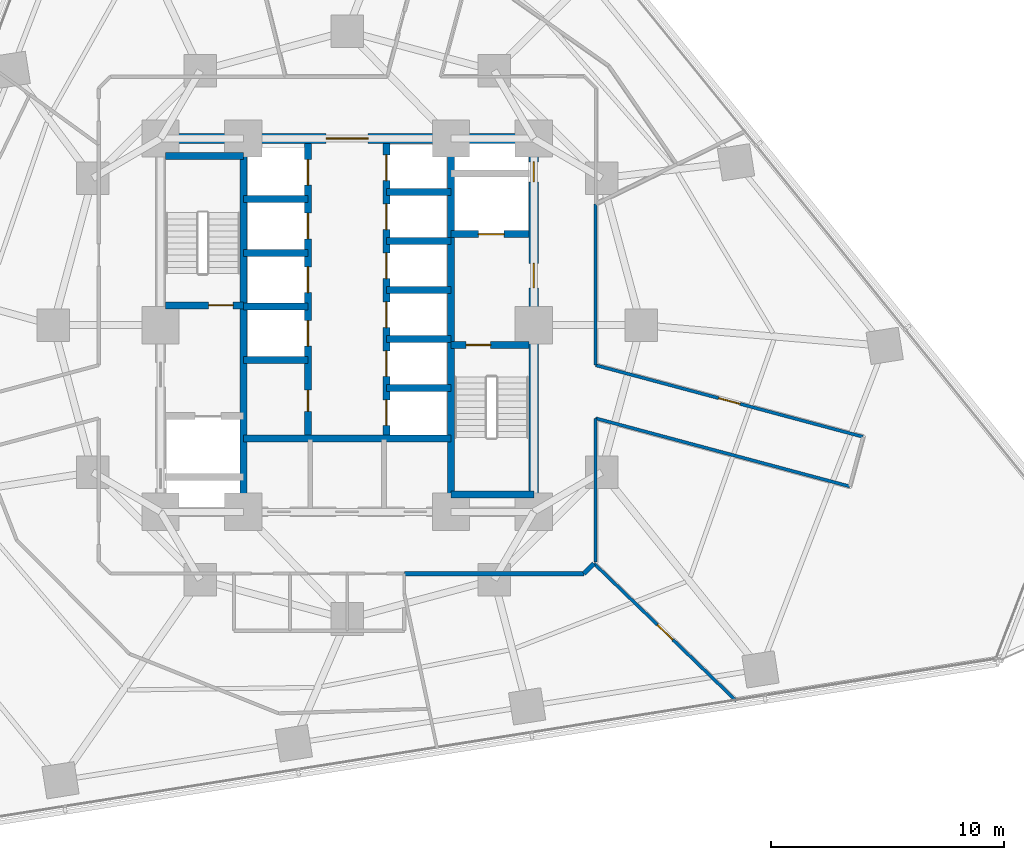
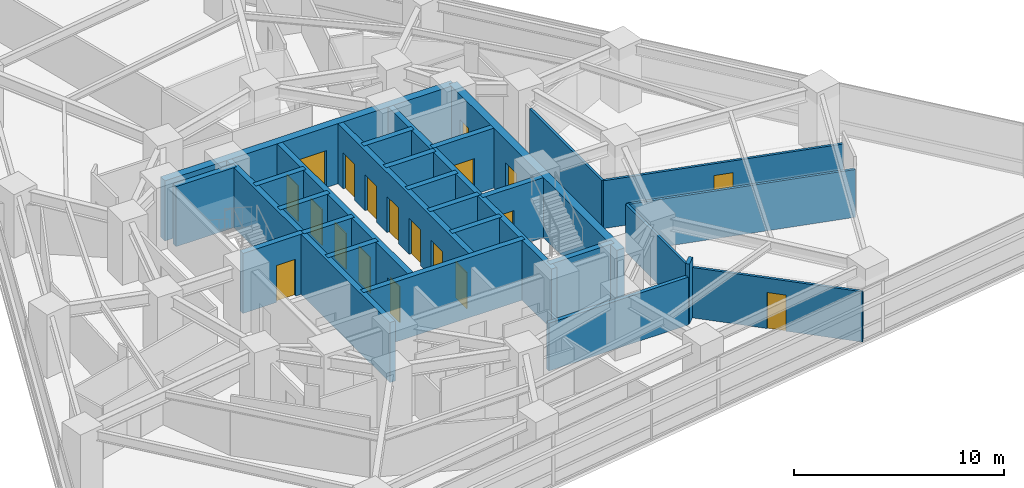
# One storey, part 8 of 14: 28 walls, 19 doors, 19 openings.
"""IFC4 building model written with IfcOpenShell, lengths in metres."""

import ifcopenshell
import ifcopenshell.guid

model = None  # the IFC model being written
_history = None  # IfcOwnerHistory: only IFC2X3 demands one
_inside = {}  # id of a spatial element -> (the spatial element, [elements in it])
_under = {}  # id of a project, library or spatial element -> (it, [spatial elements below it])
_declared = {}  # id of a project -> (the project, [libraries it declares])
_typed = {}  # id of a type object -> (the type object, [elements of that type])
_made_of = {}  # id of a material, layer set ... -> (it, [elements and type objects made of it])


def new_model(schema):
    """Start an empty IFC model of exactly this schema.

    Asked for "IFC4X3", IfcOpenShell would pick the latest addendum, in which some entities
    have other attributes; the version numbers below select the first issue.
    IFC2X3 requires an IfcOwnerHistory on every rooted entity: one is made here for all.
    """
    global model, _history
    if schema == "IFC4X3":
        model = ifcopenshell.file(schema_version=(4, 3, 0, 0))
    else:
        model = ifcopenshell.file(schema=schema)
    _inside.clear()
    _under.clear()
    _declared.clear()
    _typed.clear()
    _made_of.clear()
    _history = None
    if model.schema == "IFC2X3":
        org = make("IfcOrganization", Name="unknown")
        user = make(
            "IfcPersonAndOrganization",
            ThePerson=make("IfcPerson", FamilyName="unknown"),
            TheOrganization=org,
        )
        app = make(
            "IfcApplication",
            ApplicationDeveloper=org,
            Version="unknown",
            ApplicationFullName="unknown",
            ApplicationIdentifier="unknown",
        )
        _history = make(
            "IfcOwnerHistory",
            OwningUser=user,
            OwningApplication=app,
            ChangeAction="ADDED",
            CreationDate=0,
        )
    return model


def make(cls, **values):
    """One entity of the class cls with the attributes given. An attribute that is None is left unset."""
    return model.create_entity(
        cls, **{name: value for name, value in values.items() if value is not None}
    )


def rooted(cls, **values):
    """An entity with a GlobalId (a new one), such as an element, a storey or a relation."""
    return make(cls, GlobalId=ifcopenshell.guid.new(), OwnerHistory=_history, **values)


def si_unit(unit_type, name, prefix=None):
    """IfcSIUnit, for example si_unit("LENGTHUNIT", "METRE", prefix="MILLI")."""
    return make("IfcSIUnit", UnitType=unit_type, Prefix=prefix, Name=name)


def assignment(units):
    """IfcUnitAssignment: the units of a project."""
    return None if units is None else make("IfcUnitAssignment", Units=units)


def point(xyz):
    """IfcCartesianPoint."""
    return None if xyz is None else make("IfcCartesianPoint", Coordinates=xyz)


def direction(xyz):
    """IfcDirection."""
    return None if xyz is None else make("IfcDirection", DirectionRatios=xyz)


def frame(location, z_axis=None, x_axis=None):
    """IfcAxis2Placement3D, a coordinate frame: its origin and axes. An axis left out is left unset."""
    return make(
        "IfcAxis2Placement3D",
        Location=point(location),
        Axis=direction(z_axis),
        RefDirection=direction(x_axis),
    )


def frame_2d(location, x_axis=None):
    """IfcAxis2Placement2D, a coordinate frame in the plane: its origin and x axis."""
    return make(
        "IfcAxis2Placement2D", Location=point(location), RefDirection=direction(x_axis)
    )


def origin():
    """The frame at (0, 0, 0) with its axes left unset."""
    return frame((0.0, 0.0, 0.0))


def place(relative_to, where):
    """IfcLocalPlacement: puts the frame where relative to a parent placement (None: the world)."""
    return make(
        "IfcLocalPlacement", PlacementRelTo=relative_to, RelativePlacement=where
    )


def context(
    kind, dimensions, precision=None, world=None, true_north=None, identifier=None
):
    """IfcGeometricRepresentationContext, for example the 3D "Model" context."""
    return make(
        "IfcGeometricRepresentationContext",
        ContextIdentifier=identifier,
        ContextType=kind,
        CoordinateSpaceDimension=dimensions,
        Precision=precision,
        WorldCoordinateSystem=world,
        TrueNorth=true_north,
    )


def subcontext(parent, identifier, kind, view, scale=None):
    """IfcGeometricRepresentationSubContext, for example "Body" below "Model"."""
    return make(
        "IfcGeometricRepresentationSubContext",
        ContextIdentifier=identifier,
        ContextType=kind,
        ParentContext=parent,
        TargetScale=scale,
        TargetView=view,
    )


def project(units=None, contexts=None):
    """IfcProject with its units and contexts."""
    return rooted(
        "IfcProject",
        Name="project",
        RepresentationContexts=contexts,
        UnitsInContext=assignment(units),
    )


def spatial(cls, under=None, at=None, **own):
    """A site, building, storey or space (cls), placed at a placement, below another one or the project."""
    s = rooted(cls, ObjectPlacement=at, **own)
    if under is not None:
        _under.setdefault(under.id(), (under, []))[1].append(s)
    return s


def profile(cls, at=None, kind="AREA", **sizes):
    """A parametric profile (cls). Its sizes go by their IFC names, for example OverallWidth=200.0."""
    return make(cls, ProfileType=kind, Position=at, **sizes)


def rectangle(**sizes):
    """IfcRectangleProfileDef."""
    return profile("IfcRectangleProfileDef", **sizes)


def extrude(swept, where, along, depth):
    """IfcExtrudedAreaSolid: the profile swept, set in the frame where, extruded along a direction by depth."""
    return make(
        "IfcExtrudedAreaSolid",
        SweptArea=swept,
        Position=where,
        ExtrudedDirection=direction(along),
        Depth=depth,
    )


def shape(context_of_items, identifier, shape_type, items):
    """IfcShapeRepresentation: the items that make up one representation, for example the "Body"."""
    return make(
        "IfcShapeRepresentation",
        ContextOfItems=context_of_items,
        RepresentationIdentifier=identifier,
        RepresentationType=shape_type,
        Items=items,
    )


def material(Name=None, Category=None):
    """IfcMaterial."""
    return make("IfcMaterial", Name=Name, Category=Category)


def layer(
    of_material, thickness, ventilated=None, Name=None, Category=None, Priority=None
):
    """IfcMaterialLayer: one layer of a wall or slab, of a material (None: an air gap)."""
    return make(
        "IfcMaterialLayer",
        Material=of_material,
        LayerThickness=thickness,
        IsVentilated=ventilated,
        Name=Name,
        Category=Category,
        Priority=Priority,
    )


def layer_set(layers, Name=None):
    """IfcMaterialLayerSet."""
    return make("IfcMaterialLayerSet", MaterialLayers=layers, LayerSetName=Name)


def made_of(thing, what):
    """Note that an element or type object is made of a material, layer set ...; save() writes the relation."""
    if what is not None:
        _made_of.setdefault(what.id(), (what, []))[1].append(thing)
    return thing


def type_object(cls, material=None, **own):
    """A type object (cls), such as IfcWallType, which elements share."""
    return made_of(rooted(cls, **own), material)


def element(
    cls,
    number,
    at=None,
    inside=None,
    cuts=None,
    type_object=None,
    material=None,
    context=None,
    identifier="Body",
    shape_type=None,
    held_by="IfcProductDefinitionShape",
    body=None,
    shapes=None,
    **own,
):
    """One element of the class cls, such as IfcWall. Its Tag is "e" and its number.

    at: its placement. inside: the storey or other place that contains it. cuts: it is an
    opening in that element (IfcRelVoidsElement). A single representation is given by context,
    identifier, shape_type and body (its items); several are given by shapes. held_by: the class
    of the entity that holds the representations. save() writes the other relations.
    """
    e = rooted(cls, Tag="e%d" % number, ObjectPlacement=at, **own)
    if body is not None:
        shapes = [shape(context, identifier, shape_type, body)]
    if shapes is not None:
        e.Representation = make(held_by, Representations=shapes)
    if inside is not None:
        _inside.setdefault(inside.id(), (inside, []))[1].append(e)
    if cuts is not None:
        rooted(
            "IfcRelVoidsElement", RelatingBuildingElement=cuts, RelatedOpeningElement=e
        )
    if type_object is not None:
        _typed.setdefault(type_object.id(), (type_object, []))[1].append(e)
    return made_of(e, material)


def fill(opening, filler):
    """IfcRelFillsElement: the door or window that sits in an opening."""
    return rooted(
        "IfcRelFillsElement",
        RelatingOpeningElement=opening,
        RelatedBuildingElement=filler,
    )


def aggregate(whole, parts):
    """IfcRelAggregates: a whole, such as a stair, and the parts it consists of."""
    return rooted("IfcRelAggregates", RelatingObject=whole, RelatedObjects=parts)


def save(model, path):
    """Write the relations noted so far, then the file.

    IfcRelAggregates (storeys below a building ...), IfcRelContainedInSpatialStructure (elements
    in a storey), IfcRelDefinesByType, IfcRelAssociatesMaterial and IfcRelDeclares: one each for
    every whole, place, type object, material and project.
    """
    for whole, parts in _under.values():
        aggregate(whole, parts)
    for where, things in _inside.values():
        rooted(
            "IfcRelContainedInSpatialStructure",
            RelatedElements=things,
            RelatingStructure=where,
        )
    for kind, things in _typed.values():
        rooted("IfcRelDefinesByType", RelatedObjects=things, RelatingType=kind)
    for what, things in _made_of.values():
        rooted("IfcRelAssociatesMaterial", RelatedObjects=things, RelatingMaterial=what)
    for by, libraries in _declared.values():
        rooted("IfcRelDeclares", RelatingContext=by, RelatedDefinitions=libraries)
    model.write(path)


model = new_model("IFC4")

# Units and contexts
model_context = context("Model", 3, precision=1e-05, world=origin(), true_north=direction((0.0, 1.0)))
body_context = subcontext(model_context, "Body", "Model", "MODEL_VIEW")
ifc_project = project(units=[si_unit("LENGTHUNIT", "METRE"), si_unit("AREAUNIT", "SQUARE_METRE"), si_unit("VOLUMEUNIT", "CUBIC_METRE"), si_unit("PLANEANGLEUNIT", "RADIAN"), si_unit("MASSUNIT", "GRAM", prefix="KILO")], contexts=[model_context])

# Site, building, storey
site_placement = place(None, origin())
site = spatial("IfcSite", under=ifc_project, at=site_placement, CompositionType="ELEMENT")
building_placement = place(site_placement, origin())
building = spatial("IfcBuilding", under=site, at=building_placement, Name="Terralouvre Media Tower", CompositionType="ELEMENT")
storey_placement = place(building_placement, frame((0.0, 0.0, 70.39990234375)))
storey = spatial("IfcBuildingStorey", under=building, at=storey_placement, Name="L17", CompositionType="ELEMENT", Elevation=70.39990234375)

# Walls
ifc_material_1 = material(Name="Concrete C50/60", Category="concrete")
ifc_layer_1 = layer(ifc_material_1, 0.300048828125, Name="Core Internal Shaft Wall CW-300")
ifc_layer_set_1 = layer_set([ifc_layer_1], Name="Concrete C50/60")
wall_type_1 = type_object("IfcWallType", Name="Core Internal Shaft Wall CW-300", PredefinedType="SHEAR", material=ifc_layer_set_1)
for number, where, z_axis, x_axis, name in (
    (1, (-4.449951171875, -7.7900390625, 0.0), (0.0, 0.0, 1.0), (0.0, 1.0, 0.0), "L17 Core Shaft Wall SPW"),
    (2, (4.449951171875, -7.7900390625, 0.0), (0.0, 0.0, 1.0), (0.0, 1.0, 0.0), "L17 Core Shaft Wall SPE"),
):
    element("IfcWall", number, at=place(storey_placement, frame(where, z_axis=z_axis, x_axis=x_axis)), inside=storey, type_object=wall_type_1, Name=name, PredefinedType="SHEAR", context=body_context, shape_type="SweptSolid", body=[
        extrude(rectangle(XDim=15.580078125, YDim=0.300048828125, at=frame_2d((7.7900390625, 0.0))), origin(), (0.0, 0.0, 1.0), 3.5),
    ])

# Wall, opening, door
wall_1_placement = place(storey_placement, frame((-7.7900390625, 0.85009765625, 0.0), z_axis=(0.0, 0.0, 1.0), x_axis=(1.0, 0.0, 0.0)))
wall_1 = element("IfcWall", 3, at=wall_1_placement, inside=storey, type_object=wall_type_1, Name="L17 Core Shaft Wall ST1D", PredefinedType="SHEAR", context=body_context, shape_type="SweptSolid", body=[
    extrude(rectangle(XDim=3.340087890625, YDim=0.300048828125, at=frame_2d((1.669921875, 0.0))), origin(), (0.0, 0.0, 1.0), 3.5),
])
opening_1_placement = place(wall_1_placement, frame((1.85009765625, 0.0, 0.0)))
opening_1 = element("IfcOpeningElement", 4, at=opening_1_placement, cuts=wall_1, Name="Opening FD-01-105X215", PredefinedType="OPENING", context=body_context, shape_type="SweptSolid", body=[
    extrude(rectangle(XDim=1.050048828125, YDim=2.14990234375, at=frame_2d((0.52490234375, 1.074951171875))), frame((0.0, 0.159912109375, 0.0), z_axis=(0.0, -1.0, 0.0), x_axis=(1.0, 0.0, 0.0)), (0.0, 0.0, 1.0), 0.320068359375),
])
ifc_material_2 = material(Name="Galvanised steel fire-resisting leaf", Category="steel")
door_type_1 = type_object("IfcDoorType", Name="Stair and Firefighting Lobby Fire Door FD-01 (1050x2150)", OperationType="NOTDEFINED", PredefinedType="DOOR", material=ifc_material_2)
door_1_placement = place(opening_1_placement, origin())
door_1 = element("IfcDoor", 5, at=door_1_placement, inside=storey, type_object=door_type_1, Name="L17 ST-01 Exit Stair Door", OperationType="SINGLE_SWING_LEFT", OverallHeight=2.14990234375, OverallWidth=1.050048828125, PredefinedType="DOOR", context=body_context, shape_type="SweptSolid", body=[
    extrude(rectangle(XDim=1.050048828125, YDim=2.14990234375, at=frame_2d((0.52490234375, 1.074951171875))), frame((0.0, 0.02490234375, 0.0), z_axis=(0.0, -1.0, 0.0), x_axis=(1.0, 0.0, 0.0)), (0.0, 0.0, 1.0), 0.050048828125),
])
fill(opening_1, door_1)

# Wall
wall_2_placement = place(storey_placement, frame((-7.7900390625, 7.260009765625, 0.0), z_axis=(0.0, 0.0, 1.0), x_axis=(1.0, 0.0, 0.0)))
element("IfcWall", 6, at=wall_2_placement, inside=storey, type_object=wall_type_1, Name="L17 Core Shaft Wall ST1F", PredefinedType="SHEAR", context=body_context, shape_type="SweptSolid", body=[
    extrude(rectangle(XDim=3.340087890625, YDim=0.300048828125, at=frame_2d((1.669921875, 0.0))), origin(), (0.0, 0.0, 1.0), 3.5),
])

# Wall, opening, door
wall_3_placement = place(storey_placement, frame((4.449951171875, -0.85009765625, 0.0), z_axis=(0.0, 0.0, 1.0), x_axis=(1.0, 0.0, 0.0)))
wall_3 = element("IfcWall", 7, at=wall_3_placement, inside=storey, type_object=wall_type_1, Name="L17 Core Shaft Wall ST2D", PredefinedType="SHEAR", context=body_context, shape_type="SweptSolid", body=[
    extrude(rectangle(XDim=3.340087890625, YDim=0.300048828125, at=frame_2d((1.669921875, 0.0))), origin(), (0.0, 0.0, 1.0), 3.5),
])
opening_2_placement = place(wall_3_placement, frame((0.64990234375, 0.0, 0.0)))
opening_2 = element("IfcOpeningElement", 8, at=opening_2_placement, cuts=wall_3, Name="Opening FD-01-105X215", PredefinedType="OPENING", context=body_context, shape_type="SweptSolid", body=[
    extrude(rectangle(XDim=1.050048828125, YDim=2.14990234375, at=frame_2d((0.52490234375, 1.074951171875))), frame((0.0, 0.159912109375, 0.0), z_axis=(0.0, -1.0, 0.0), x_axis=(1.0, 0.0, 0.0)), (0.0, 0.0, 1.0), 0.320068359375),
])
door_2_placement = place(opening_2_placement, origin())
door_2 = element("IfcDoor", 9, at=door_2_placement, inside=storey, type_object=door_type_1, Name="L17 ST-02 Exit Stair Door", OperationType="SINGLE_SWING_RIGHT", OverallHeight=2.14990234375, OverallWidth=1.050048828125, PredefinedType="DOOR", context=body_context, shape_type="SweptSolid", body=[
    extrude(rectangle(XDim=1.050048828125, YDim=2.14990234375, at=frame_2d((0.52490234375, 1.074951171875))), frame((0.0, 0.02490234375, 0.0), z_axis=(0.0, -1.0, 0.0), x_axis=(1.0, 0.0, 0.0)), (0.0, 0.0, 1.0), 0.050048828125),
])
fill(opening_2, door_2)

# Wall
wall_4_placement = place(storey_placement, frame((4.449951171875, -7.260009765625, 0.0), z_axis=(0.0, 0.0, 1.0), x_axis=(1.0, 0.0, 0.0)))
element("IfcWall", 10, at=wall_4_placement, inside=storey, type_object=wall_type_1, Name="L17 Core Shaft Wall ST2F", PredefinedType="SHEAR", context=body_context, shape_type="SweptSolid", body=[
    extrude(rectangle(XDim=3.550048828125, YDim=0.300048828125, at=frame_2d((1.77490234375, 0.0))), origin(), (0.0, 0.0, 1.0), 3.5),
])

# Wall, opening, door
wall_5_placement = place(storey_placement, frame((4.449951171875, 3.89990234375, 0.0), z_axis=(0.0, 0.0, 1.0), x_axis=(1.0, 0.0, 0.0)))
wall_5 = element("IfcWall", 11, at=wall_5_placement, inside=storey, type_object=wall_type_1, Name="L17 Core Shaft Wall FF2S", PredefinedType="SHEAR", context=body_context, shape_type="SweptSolid", body=[
    extrude(rectangle(XDim=3.340087890625, YDim=0.300048828125, at=frame_2d((1.669921875, 0.0))), origin(), (0.0, 0.0, 1.0), 3.5),
])
opening_3_placement = place(wall_5_placement, frame((1.179931640625, 0.0, 0.0)))
opening_3 = element("IfcOpeningElement", 12, at=opening_3_placement, cuts=wall_5, Name="Opening LD-FF", PredefinedType="OPENING", context=body_context, shape_type="SweptSolid", body=[
    extrude(rectangle(XDim=1.10009765625, YDim=2.10009765625, at=frame_2d((0.550048828125, 1.050048828125))), frame((0.0, 0.159912109375, 0.0), z_axis=(0.0, -1.0, 0.0), x_axis=(1.0, 0.0, 0.0)), (0.0, 0.0, 1.0), 0.320068359375),
])
ifc_material_3 = material(Name="Stainless steel 316 handrail and balustrade", Category="steel")
door_type_2 = type_object("IfcDoorType", Name="Firefighting Lift Sliding Landing Door LD-FF", OperationType="SLIDING_TO_LEFT", PredefinedType="DOOR", material=ifc_material_3)
door_3_placement = place(opening_3_placement, origin())
door_3 = element("IfcDoor", 13, at=door_3_placement, inside=storey, type_object=door_type_2, Name="L17 Firefighting Lift FFL-02 Landing Door", OperationType="SLIDING_TO_LEFT", OverallHeight=2.10009765625, OverallWidth=1.10009765625, PredefinedType="DOOR", context=body_context, shape_type="SweptSolid", body=[
    extrude(rectangle(XDim=1.10009765625, YDim=2.10009765625, at=frame_2d((0.550048828125, 1.050048828125))), frame((0.0, 0.02490234375, 0.0), z_axis=(0.0, -1.0, 0.0), x_axis=(1.0, 0.0, 0.0)), (0.0, 0.0, 1.0), 0.050048828125),
])
fill(opening_3, door_3)

# Wall
wall_6_placement = place(storey_placement, frame((-4.449951171875, -4.85009765625, 0.0), z_axis=(0.0, 0.0, 1.0), x_axis=(1.0, 0.0, 0.0)))
element("IfcWall", 14, at=wall_6_placement, inside=storey, type_object=wall_type_1, Name="L17 Core Shaft Wall CSBN", PredefinedType="SHEAR", context=body_context, shape_type="SweptSolid", body=[
    extrude(rectangle(XDim=8.89990234375, YDim=0.300048828125, at=frame_2d((4.449951171875, 0.0))), origin(), (0.0, 0.0, 1.0), 3.5),
])

# Wall, openings, doors
wall_7_placement = place(storey_placement, frame((-1.679931640625, -4.85009765625, 0.0), z_axis=(0.0, 0.0, 1.0), x_axis=(0.0, 1.0, 0.0)))
wall_7 = element("IfcWall", 15, at=wall_7_placement, inside=storey, type_object=wall_type_1, Name="L17 Core Shaft Wall LBW", PredefinedType="SHEAR", context=body_context, shape_type="SweptSolid", body=[
    extrude(rectangle(XDim=12.64013671875, YDim=0.300048828125, at=frame_2d((6.320068359375, 0.0))), origin(), (0.0, 0.0, 1.0), 3.5),
])
opening_4_placement = place(wall_7_placement, frame((3.949951171875, 0.0, 0.0)))
opening_4 = element("IfcOpeningElement", 16, at=opening_4_placement, cuts=wall_7, Name="Opening LD-PL", PredefinedType="OPENING", context=body_context, shape_type="SweptSolid", body=[
    extrude(rectangle(XDim=1.10009765625, YDim=2.10009765625, at=frame_2d((0.550048828125, 1.050048828125))), frame((0.0, 0.159912109375, 0.0), z_axis=(0.0, -1.0, 0.0), x_axis=(1.0, 0.0, 0.0)), (0.0, 0.0, 1.0), 0.320068359375),
])
opening_5_placement = place(wall_7_placement, frame((6.25, 0.0, 0.0)))
opening_5 = element("IfcOpeningElement", 17, at=opening_5_placement, cuts=wall_7, Name="Opening LD-PL", PredefinedType="OPENING", context=body_context, shape_type="SweptSolid", body=[
    extrude(rectangle(XDim=1.10009765625, YDim=2.10009765625, at=frame_2d((0.550048828125, 1.050048828125))), frame((0.0, 0.159912109375, 0.0), z_axis=(0.0, -1.0, 0.0), x_axis=(1.0, 0.0, 0.0)), (0.0, 0.0, 1.0), 0.320068359375),
])
opening_6_placement = place(wall_7_placement, frame((8.550048828125, 0.0, 0.0)))
opening_6 = element("IfcOpeningElement", 18, at=opening_6_placement, cuts=wall_7, Name="Opening LD-PL", PredefinedType="OPENING", context=body_context, shape_type="SweptSolid", body=[
    extrude(rectangle(XDim=1.10009765625, YDim=2.10009765625, at=frame_2d((0.550048828125, 1.050048828125))), frame((0.0, 0.159912109375, 0.0), z_axis=(0.0, -1.0, 0.0), x_axis=(1.0, 0.0, 0.0)), (0.0, 0.0, 1.0), 0.320068359375),
])
opening_7_placement = place(wall_7_placement, frame((10.85009765625, 0.0, 0.0)))
opening_7 = element("IfcOpeningElement", 19, at=opening_7_placement, cuts=wall_7, Name="Opening LD-PL", PredefinedType="OPENING", context=body_context, shape_type="SweptSolid", body=[
    extrude(rectangle(XDim=1.10009765625, YDim=2.10009765625, at=frame_2d((0.550048828125, 1.050048828125))), frame((0.0, 0.159912109375, 0.0), z_axis=(0.0, -1.0, 0.0), x_axis=(1.0, 0.0, 0.0)), (0.0, 0.0, 1.0), 0.320068359375),
])
opening_8_placement = place(wall_7_placement, frame((1.14990234375, 0.0, 0.0)))
opening_8 = element("IfcOpeningElement", 20, at=opening_8_placement, cuts=wall_7, Name="Opening FD-05-92X210", PredefinedType="OPENING", context=body_context, shape_type="SweptSolid", body=[
    extrude(rectangle(XDim=0.919921875, YDim=2.10009765625, at=frame_2d((0.4599609375, 1.050048828125))), frame((0.0, 0.159912109375, 0.0), z_axis=(0.0, -1.0, 0.0), x_axis=(1.0, 0.0, 0.0)), (0.0, 0.0, 1.0), 0.320068359375),
])
ifc_material_4 = material(Name="Galvanised steel fire-resisting leaf", Category="steel")
door_type_3 = type_object("IfcDoorType", Name="Core Accessible Closet Fire Door FD-05 (920x2100)", OperationType="NOTDEFINED", PredefinedType="DOOR", material=ifc_material_4)
door_4_placement = place(opening_8_placement, origin())
door_4 = element("IfcDoor", 21, at=door_4_placement, inside=storey, type_object=door_type_3, Name="L17 Core Cleaners Closet Door", OperationType="SINGLE_SWING_LEFT", OverallHeight=2.10009765625, OverallWidth=0.919921875, PredefinedType="DOOR", context=body_context, shape_type="SweptSolid", body=[
    extrude(rectangle(XDim=0.919921875, YDim=2.10009765625, at=frame_2d((0.4599609375, 1.050048828125))), frame((0.0, 0.02490234375, 0.0), z_axis=(0.0, -1.0, 0.0), x_axis=(1.0, 0.0, 0.0)), (0.0, 0.0, 1.0), 0.050048828125),
])
fill(opening_8, door_4)
ifc_material_5 = material(Name="Stainless steel 316 handrail and balustrade", Category="steel")
door_type_4 = type_object("IfcDoorType", Name="Passenger Lift Sliding Landing Door LD-PL", OperationType="SLIDING_TO_LEFT", PredefinedType="DOOR", material=ifc_material_5)
door_5_placement = place(opening_4_placement, origin())
door_5 = element("IfcDoor", 22, at=door_5_placement, inside=storey, type_object=door_type_4, Name="L17 Low-Rise Lift PL-L1 Landing Door", OperationType="SLIDING_TO_LEFT", OverallHeight=2.10009765625, OverallWidth=1.10009765625, PredefinedType="DOOR", context=body_context, shape_type="SweptSolid", body=[
    extrude(rectangle(XDim=1.10009765625, YDim=2.10009765625, at=frame_2d((0.550048828125, 1.050048828125))), frame((0.0, 0.02490234375, 0.0), z_axis=(0.0, -1.0, 0.0), x_axis=(1.0, 0.0, 0.0)), (0.0, 0.0, 1.0), 0.050048828125),
])
fill(opening_4, door_5)
door_6_placement = place(opening_5_placement, origin())
door_6 = element("IfcDoor", 23, at=door_6_placement, inside=storey, type_object=door_type_4, Name="L17 Low-Rise Lift PL-L2 Landing Door", OperationType="SLIDING_TO_LEFT", OverallHeight=2.10009765625, OverallWidth=1.10009765625, PredefinedType="DOOR", context=body_context, shape_type="SweptSolid", body=[
    extrude(rectangle(XDim=1.10009765625, YDim=2.10009765625, at=frame_2d((0.550048828125, 1.050048828125))), frame((0.0, 0.02490234375, 0.0), z_axis=(0.0, -1.0, 0.0), x_axis=(1.0, 0.0, 0.0)), (0.0, 0.0, 1.0), 0.050048828125),
])
fill(opening_5, door_6)
door_7_placement = place(opening_6_placement, origin())
door_7 = element("IfcDoor", 24, at=door_7_placement, inside=storey, type_object=door_type_4, Name="L17 Low-Rise Lift PL-L3 Landing Door", OperationType="SLIDING_TO_LEFT", OverallHeight=2.10009765625, OverallWidth=1.10009765625, PredefinedType="DOOR", context=body_context, shape_type="SweptSolid", body=[
    extrude(rectangle(XDim=1.10009765625, YDim=2.10009765625, at=frame_2d((0.550048828125, 1.050048828125))), frame((0.0, 0.02490234375, 0.0), z_axis=(0.0, -1.0, 0.0), x_axis=(1.0, 0.0, 0.0)), (0.0, 0.0, 1.0), 0.050048828125),
])
fill(opening_6, door_7)
door_8_placement = place(opening_7_placement, origin())
door_8 = element("IfcDoor", 25, at=door_8_placement, inside=storey, type_object=door_type_4, Name="L17 Low-Rise Lift PL-L4 Landing Door", OperationType="SLIDING_TO_LEFT", OverallHeight=2.10009765625, OverallWidth=1.10009765625, PredefinedType="DOOR", context=body_context, shape_type="SweptSolid", body=[
    extrude(rectangle(XDim=1.10009765625, YDim=2.10009765625, at=frame_2d((0.550048828125, 1.050048828125))), frame((0.0, 0.02490234375, 0.0), z_axis=(0.0, -1.0, 0.0), x_axis=(1.0, 0.0, 0.0)), (0.0, 0.0, 1.0), 0.050048828125),
])
fill(opening_7, door_8)

wall_8_placement = place(storey_placement, frame((1.679931640625, -4.85009765625, 0.0), z_axis=(0.0, 0.0, 1.0), x_axis=(0.0, 1.0, 0.0)))
wall_8 = element("IfcWall", 26, at=wall_8_placement, inside=storey, type_object=wall_type_1, Name="L17 Core Shaft Wall LBE", PredefinedType="SHEAR", context=body_context, shape_type="SweptSolid", body=[
    extrude(rectangle(XDim=12.64013671875, YDim=0.300048828125, at=frame_2d((6.320068359375, 0.0))), origin(), (0.0, 0.0, 1.0), 3.5),
])
opening_9_placement = place(wall_8_placement, frame((0.550048828125, 0.0, 0.0)))
opening_9 = element("IfcOpeningElement", 27, at=opening_9_placement, cuts=wall_8, Name="Opening LD-PL", PredefinedType="OPENING", context=body_context, shape_type="SweptSolid", body=[
    extrude(rectangle(XDim=1.10009765625, YDim=2.10009765625, at=frame_2d((0.550048828125, 1.050048828125))), frame((0.0, 0.159912109375, 0.0), z_axis=(0.0, -1.0, 0.0), x_axis=(1.0, 0.0, 0.0)), (0.0, 0.0, 1.0), 0.320068359375),
])
opening_10_placement = place(wall_8_placement, frame((2.64990234375, 0.0, 0.0)))
opening_10 = element("IfcOpeningElement", 28, at=opening_10_placement, cuts=wall_8, Name="Opening LD-PL", PredefinedType="OPENING", context=body_context, shape_type="SweptSolid", body=[
    extrude(rectangle(XDim=1.10009765625, YDim=2.10009765625, at=frame_2d((0.550048828125, 1.050048828125))), frame((0.0, 0.159912109375, 0.0), z_axis=(0.0, -1.0, 0.0), x_axis=(1.0, 0.0, 0.0)), (0.0, 0.0, 1.0), 0.320068359375),
])
opening_11_placement = place(wall_8_placement, frame((4.75, 0.0, 0.0)))
opening_11 = element("IfcOpeningElement", 29, at=opening_11_placement, cuts=wall_8, Name="Opening LD-PL", PredefinedType="OPENING", context=body_context, shape_type="SweptSolid", body=[
    extrude(rectangle(XDim=1.10009765625, YDim=2.10009765625, at=frame_2d((0.550048828125, 1.050048828125))), frame((0.0, 0.159912109375, 0.0), z_axis=(0.0, -1.0, 0.0), x_axis=(1.0, 0.0, 0.0)), (0.0, 0.0, 1.0), 0.320068359375),
])
opening_12_placement = place(wall_8_placement, frame((6.85009765625, 0.0, 0.0)))
opening_12 = element("IfcOpeningElement", 30, at=opening_12_placement, cuts=wall_8, Name="Opening LD-PL", PredefinedType="OPENING", context=body_context, shape_type="SweptSolid", body=[
    extrude(rectangle(XDim=1.10009765625, YDim=2.10009765625, at=frame_2d((0.550048828125, 1.050048828125))), frame((0.0, 0.159912109375, 0.0), z_axis=(0.0, -1.0, 0.0), x_axis=(1.0, 0.0, 0.0)), (0.0, 0.0, 1.0), 0.320068359375),
])
opening_13_placement = place(wall_8_placement, frame((8.949951171875, 0.0, 0.0)))
opening_13 = element("IfcOpeningElement", 31, at=opening_13_placement, cuts=wall_8, Name="Opening LD-PL", PredefinedType="OPENING", context=body_context, shape_type="SweptSolid", body=[
    extrude(rectangle(XDim=1.10009765625, YDim=2.10009765625, at=frame_2d((0.550048828125, 1.050048828125))), frame((0.0, 0.159912109375, 0.0), z_axis=(0.0, -1.0, 0.0), x_axis=(1.0, 0.0, 0.0)), (0.0, 0.0, 1.0), 0.320068359375),
])
opening_14_placement = place(wall_8_placement, frame((11.050048828125, 0.0, 0.0)))
opening_14 = element("IfcOpeningElement", 32, at=opening_14_placement, cuts=wall_8, Name="Opening LD-PL", PredefinedType="OPENING", context=body_context, shape_type="SweptSolid", body=[
    extrude(rectangle(XDim=1.10009765625, YDim=2.10009765625, at=frame_2d((0.550048828125, 1.050048828125))), frame((0.0, 0.159912109375, 0.0), z_axis=(0.0, -1.0, 0.0), x_axis=(1.0, 0.0, 0.0)), (0.0, 0.0, 1.0), 0.320068359375),
])
door_9_placement = place(opening_9_placement, origin())
door_9 = element("IfcDoor", 33, at=door_9_placement, inside=storey, type_object=door_type_4, Name="L17 High-Rise Lift PL-H1 Landing Door", OperationType="SLIDING_TO_LEFT", OverallHeight=2.10009765625, OverallWidth=1.10009765625, PredefinedType="DOOR", context=body_context, shape_type="SweptSolid", body=[
    extrude(rectangle(XDim=1.10009765625, YDim=2.10009765625, at=frame_2d((0.550048828125, 1.050048828125))), frame((0.0, 0.02490234375, 0.0), z_axis=(0.0, -1.0, 0.0), x_axis=(1.0, 0.0, 0.0)), (0.0, 0.0, 1.0), 0.050048828125),
])
fill(opening_9, door_9)
door_10_placement = place(opening_10_placement, origin())
door_10 = element("IfcDoor", 34, at=door_10_placement, inside=storey, type_object=door_type_4, Name="L17 High-Rise Lift PL-H2 Landing Door", OperationType="SLIDING_TO_LEFT", OverallHeight=2.10009765625, OverallWidth=1.10009765625, PredefinedType="DOOR", context=body_context, shape_type="SweptSolid", body=[
    extrude(rectangle(XDim=1.10009765625, YDim=2.10009765625, at=frame_2d((0.550048828125, 1.050048828125))), frame((0.0, 0.02490234375, 0.0), z_axis=(0.0, -1.0, 0.0), x_axis=(1.0, 0.0, 0.0)), (0.0, 0.0, 1.0), 0.050048828125),
])
fill(opening_10, door_10)
door_11_placement = place(opening_11_placement, origin())
door_11 = element("IfcDoor", 35, at=door_11_placement, inside=storey, type_object=door_type_4, Name="L17 High-Rise Lift PL-H3 Landing Door", OperationType="SLIDING_TO_LEFT", OverallHeight=2.10009765625, OverallWidth=1.10009765625, PredefinedType="DOOR", context=body_context, shape_type="SweptSolid", body=[
    extrude(rectangle(XDim=1.10009765625, YDim=2.10009765625, at=frame_2d((0.550048828125, 1.050048828125))), frame((0.0, 0.02490234375, 0.0), z_axis=(0.0, -1.0, 0.0), x_axis=(1.0, 0.0, 0.0)), (0.0, 0.0, 1.0), 0.050048828125),
])
fill(opening_11, door_11)
door_12_placement = place(opening_12_placement, origin())
door_12 = element("IfcDoor", 36, at=door_12_placement, inside=storey, type_object=door_type_4, Name="L17 Mid-Rise Lift PL-M1 Landing Door", OperationType="SLIDING_TO_LEFT", OverallHeight=2.10009765625, OverallWidth=1.10009765625, PredefinedType="DOOR", context=body_context, shape_type="SweptSolid", body=[
    extrude(rectangle(XDim=1.10009765625, YDim=2.10009765625, at=frame_2d((0.550048828125, 1.050048828125))), frame((0.0, 0.02490234375, 0.0), z_axis=(0.0, -1.0, 0.0), x_axis=(1.0, 0.0, 0.0)), (0.0, 0.0, 1.0), 0.050048828125),
])
fill(opening_12, door_12)
door_13_placement = place(opening_13_placement, origin())
door_13 = element("IfcDoor", 37, at=door_13_placement, inside=storey, type_object=door_type_4, Name="L17 Mid-Rise Lift PL-M2 Landing Door", OperationType="SLIDING_TO_LEFT", OverallHeight=2.10009765625, OverallWidth=1.10009765625, PredefinedType="DOOR", context=body_context, shape_type="SweptSolid", body=[
    extrude(rectangle(XDim=1.10009765625, YDim=2.10009765625, at=frame_2d((0.550048828125, 1.050048828125))), frame((0.0, 0.02490234375, 0.0), z_axis=(0.0, -1.0, 0.0), x_axis=(1.0, 0.0, 0.0)), (0.0, 0.0, 1.0), 0.050048828125),
])
fill(opening_13, door_13)
door_14_placement = place(opening_14_placement, origin())
door_14 = element("IfcDoor", 38, at=door_14_placement, inside=storey, type_object=door_type_4, Name="L17 Mid-Rise Lift PL-M3 Landing Door", OperationType="SLIDING_TO_LEFT", OverallHeight=2.10009765625, OverallWidth=1.10009765625, PredefinedType="DOOR", context=body_context, shape_type="SweptSolid", body=[
    extrude(rectangle(XDim=1.10009765625, YDim=2.10009765625, at=frame_2d((0.550048828125, 1.050048828125))), frame((0.0, 0.02490234375, 0.0), z_axis=(0.0, -1.0, 0.0), x_axis=(1.0, 0.0, 0.0)), (0.0, 0.0, 1.0), 0.050048828125),
])
fill(opening_14, door_14)

# Walls
for number, where, z_axis, x_axis, name in (
    (39, (-4.449951171875, -1.5, 0.0), (0.0, 0.0, 1.0), (1.0, 0.0, 0.0), "L17 Core Shaft Wall PLLD0"),
    (40, (-4.449951171875, 0.800048828125, 0.0), (0.0, 0.0, 1.0), (1.0, 0.0, 0.0), "L17 Core Shaft Wall PLLD1"),
    (41, (-4.449951171875, 3.10009765625, 0.0), (0.0, 0.0, 1.0), (1.0, 0.0, 0.0), "L17 Core Shaft Wall PLLD2"),
    (42, (-4.449951171875, 5.39990234375, 0.0), (0.0, 0.0, 1.0), (1.0, 0.0, 0.0), "L17 Core Shaft Wall PLLD3"),
    (43, (1.679931640625, 1.5, 0.0), (0.0, 0.0, 1.0), (1.0, 0.0, 0.0), "L17 Core Shaft Wall PLMD0"),
    (44, (1.679931640625, 3.60009765625, 0.0), (0.0, 0.0, 1.0), (1.0, 0.0, 0.0), "L17 Core Shaft Wall PLMD1"),
    (45, (1.679931640625, 5.699951171875, 0.0), (0.0, 0.0, 1.0), (1.0, 0.0, 0.0), "L17 Core Shaft Wall PLMD2"),
    (46, (1.679931640625, -2.699951171875, 0.0), (0.0, 0.0, 1.0), (1.0, 0.0, 0.0), "L17 Core Shaft Wall PLHD1"),
    (47, (1.679931640625, -0.60009765625, 0.0), (0.0, 0.0, 1.0), (1.0, 0.0, 0.0), "L17 Core Shaft Wall PLHD2"),
):
    element("IfcWall", number, at=place(storey_placement, frame(where, z_axis=z_axis, x_axis=x_axis)), inside=storey, type_object=wall_type_1, Name=name, PredefinedType="SHEAR", context=body_context, shape_type="SweptSolid", body=[
        extrude(rectangle(XDim=2.77001953125, YDim=0.300048828125, at=frame_2d((1.385009765625, 0.0))), origin(), (0.0, 0.0, 1.0), 3.5),
    ])

# Wall, openings, doors
ifc_material_6 = material(Name="Concrete C60/75", Category="concrete")
ifc_layer_2 = layer(ifc_material_6, 0.419921875, Name="Core Reinforced Concrete Shear Wall CW-420")
ifc_layer_set_2 = layer_set([ifc_layer_2], Name="Concrete C60/75")
wall_type_2 = type_object("IfcWallType", Name="Core Reinforced Concrete Shear Wall CW-420", PredefinedType="SHEAR", material=ifc_layer_set_2)
wall_9_placement = place(storey_placement, frame((8.0, -8.0, 0.0), z_axis=(0.0, 0.0, 1.0), x_axis=(0.0, 1.0, 0.0)))
wall_9 = element("IfcWall", 48, at=wall_9_placement, inside=storey, type_object=wall_type_2, Name="L17 E Core Shear Wall", PredefinedType="SHEAR", context=body_context, shape_type="SweptSolid", body=[
    extrude(rectangle(XDim=16.0, YDim=0.419921875, at=frame_2d((8.0, 0.0))), origin(), (0.0, 0.0, 1.0), 3.5),
])
opening_15_placement = place(wall_9_placement, frame((9.60009765625, 0.0, 0.0)))
opening_15 = element("IfcOpeningElement", 49, at=opening_15_placement, cuts=wall_9, Name="Opening FD-01-105X215", PredefinedType="OPENING", context=body_context, shape_type="SweptSolid", body=[
    extrude(rectangle(XDim=1.050048828125, YDim=2.14990234375, at=frame_2d((0.52490234375, 1.074951171875))), frame((0.0, 0.219970703125, 0.0), z_axis=(0.0, -1.0, 0.0), x_axis=(1.0, 0.0, 0.0)), (0.0, 0.0, 1.0), 0.43994140625),
])
opening_16_placement = place(wall_9_placement, frame((14.148193359375, 0.0, 0.0)))
opening_16 = element("IfcOpeningElement", 50, at=opening_16_placement, cuts=wall_9, Name="Opening TD-R1", PredefinedType="OPENING", context=body_context, shape_type="SweptSolid", body=[
    extrude(rectangle(XDim=0.85009765625, YDim=2.02001953125, at=frame_2d((0.425048828125, 1.010009765625))), frame((0.0, 0.219970703125, 0.0), z_axis=(0.0, -1.0, 0.0), x_axis=(1.0, 0.0, 0.0)), (0.0, 0.0, 1.0), 0.43994140625),
])
ifc_material_7 = material(Name="Galvanised steel fire-resisting leaf", Category="steel")
door_type_5 = type_object("IfcDoorType", Name="Riser Inspection Access Trapdoor TD-R1", OperationType="NOTDEFINED", PredefinedType="TRAPDOOR", material=ifc_material_7)
door_15_placement = place(opening_16_placement, origin())
door_15 = element("IfcDoor", 51, at=door_15_placement, inside=storey, type_object=door_type_5, Name="L17 East Comms Riser Access Trapdoor", OperationType="SINGLE_SWING_RIGHT", OverallHeight=2.02001953125, OverallWidth=0.85009765625, PredefinedType="TRAPDOOR", context=body_context, shape_type="SweptSolid", body=[
    extrude(rectangle(XDim=0.85009765625, YDim=2.02001953125, at=frame_2d((0.425048828125, 1.010009765625))), frame((0.0, 0.02490234375, 0.0), z_axis=(0.0, -1.0, 0.0), x_axis=(1.0, 0.0, 0.0)), (0.0, 0.0, 1.0), 0.050048828125),
])
fill(opening_16, door_15)
door_16_placement = place(opening_15_placement, origin())
door_16 = element("IfcDoor", 52, at=door_16_placement, inside=storey, type_object=door_type_1, Name="L17 East Firefighting Lobby Entry Door", OperationType="SINGLE_SWING_LEFT", OverallHeight=2.14990234375, OverallWidth=1.050048828125, PredefinedType="DOOR", context=body_context, shape_type="SweptSolid", body=[
    extrude(rectangle(XDim=1.050048828125, YDim=2.14990234375, at=frame_2d((0.52490234375, 1.074951171875))), frame((0.0, 0.02490234375, 0.0), z_axis=(0.0, -1.0, 0.0), x_axis=(1.0, 0.0, 0.0)), (0.0, 0.0, 1.0), 0.050048828125),
])
fill(opening_15, door_16)

# Wall, opening, door
wall_10_placement = place(storey_placement, frame((-8.0, 8.0, 0.0), z_axis=(0.0, 0.0, 1.0), x_axis=(1.0, 0.0, 0.0)))
wall_10 = element("IfcWall", 53, at=wall_10_placement, inside=storey, type_object=wall_type_2, Name="L17 N Core Shear Wall", PredefinedType="SHEAR", context=body_context, shape_type="SweptSolid", body=[
    extrude(rectangle(XDim=16.0, YDim=0.419921875, at=frame_2d((8.0, 0.0))), origin(), (0.0, 0.0, 1.0), 3.5),
])
opening_17_placement = place(wall_10_placement, frame((7.10009765625, 0.0, 0.0)))
opening_17 = element("IfcOpeningElement", 54, at=opening_17_placement, cuts=wall_10, Name="Opening FD-03", PredefinedType="OPENING", context=body_context, shape_type="SweptSolid", body=[
    extrude(rectangle(XDim=1.800048828125, YDim=2.14990234375, at=frame_2d((0.89990234375, 1.074951171875))), frame((0.0, 0.219970703125, 0.0), z_axis=(0.0, -1.0, 0.0), x_axis=(1.0, 0.0, 0.0)), (0.0, 0.0, 1.0), 0.43994140625),
])
ifc_material_8 = material(Name="Galvanised steel fire-resisting leaf", Category="steel")
door_type_6 = type_object("IfcDoorType", Name="Corridor Smoke-Control Double Door FD-03", OperationType="DOUBLE_DOOR_SINGLE_SWING", PredefinedType="DOOR", material=ifc_material_8)
door_17_placement = place(opening_17_placement, origin())
door_17 = element("IfcDoor", 55, at=door_17_placement, inside=storey, type_object=door_type_6, Name="L17 Central Lift Lobby Portal Door", OperationType="DOUBLE_DOOR_SINGLE_SWING", OverallHeight=2.14990234375, OverallWidth=1.800048828125, PredefinedType="DOOR", context=body_context, shape_type="SweptSolid", body=[
    extrude(rectangle(XDim=1.800048828125, YDim=2.14990234375, at=frame_2d((0.89990234375, 1.074951171875))), frame((0.0, 0.02490234375, 0.0), z_axis=(0.0, -1.0, 0.0), x_axis=(1.0, 0.0, 0.0)), (0.0, 0.0, 1.0), 0.050048828125),
])
fill(opening_17, door_17)

# Walls
ifc_material_9 = material(Name="Fire-rated gypsum board drywall partition")
ifc_layer_3 = layer(ifc_material_9, 0.199951171875, Name="Fire-Rated Shaft and Lobby Partition FW-200")
ifc_layer_set_3 = layer_set([ifc_layer_3], Name="Fire-rated gypsum board drywall partition")
wall_type_3 = type_object("IfcWallType", Name="Fire-Rated Shaft and Lobby Partition FW-200", PredefinedType="SOLIDWALL", material=ifc_layer_set_3)
wall_11_placement = place(storey_placement, frame((2.449951171875, -10.64990234375, 0.0), z_axis=(0.0, 0.0, 1.0), x_axis=(1.0, 0.0, 0.0)))
element("IfcWall", 56, at=wall_11_placement, inside=storey, type_object=wall_type_3, Name="L17 Interior Partition 027", PredefinedType="SOLIDWALL", context=body_context, shape_type="SweptSolid", body=[
    extrude(rectangle(XDim=7.699951171875, YDim=0.199951171875, at=frame_2d((3.85009765625, 0.0))), origin(), (0.0, 0.0, 1.0), 2.78515625),
])
wall_12_placement = place(storey_placement, frame((10.14990234375, -10.64990234375, 0.0), z_axis=(0.0, 0.0, 1.0), x_axis=(0.70730655707, 0.706906948845, 0.0)))
element("IfcWall", 57, at=wall_12_placement, inside=storey, type_object=wall_type_3, Name="L17 Interior Partition 028", PredefinedType="SOLIDWALL", context=body_context, shape_type="SweptSolid", body=[
    extrude(rectangle(XDim=0.61083984375, YDim=0.199951171875, at=frame_2d((0.305419921875, 0.0))), origin(), (0.0, 0.0, 1.0), 3.5),
])
ifc_material_10 = material(Name="Fire-rated gypsum board drywall partition")
ifc_layer_4 = layer(ifc_material_10, 0.135009765625, Name="Newsroom Acoustic Partition PT-135")
ifc_layer_set_4 = layer_set([ifc_layer_4], Name="Fire-rated gypsum board drywall partition")
wall_type_4 = type_object("IfcWallType", Name="Newsroom Acoustic Partition PT-135", PredefinedType="PARTITIONING", material=ifc_layer_set_4)
wall_13_placement = place(storey_placement, frame((10.64990234375, -10.14990234375, 0.0), z_axis=(0.0, 0.0, 1.0), x_axis=(0.0, 1.0, 0.0)))
element("IfcWall", 58, at=wall_13_placement, inside=storey, type_object=wall_type_4, Name="L17 Interior Partition 001", PredefinedType="PARTITIONING", context=body_context, shape_type="SweptSolid", body=[
    extrude(rectangle(XDim=6.157958984375, YDim=0.135009765625, at=frame_2d((3.0791015625, 0.0))), origin(), (0.0, 0.0, 1.0), 2.78515625),
])
wall_14_placement = place(storey_placement, frame((10.64990234375, -3.991943359375, 0.0), z_axis=(0.0, 0.0, 1.0), x_axis=(0.965906888357, -0.258889712088, 0.0)))
element("IfcWall", 59, at=wall_14_placement, inside=storey, type_object=wall_type_4, Name="L17 Interior Partition 002", PredefinedType="PARTITIONING", context=body_context, shape_type="SweptSolid", body=[
    extrude(rectangle(XDim=11.279541015625, YDim=0.135009765625, at=frame_2d((5.6396484375, 0.0))), origin(), (0.0, 0.0, 1.0), 2.78515625),
])

# Wall, opening, door
wall_15_placement = place(storey_placement, frame((22.114990234375, -4.787109375, 0.0), z_axis=(0.0, 0.0, 1.0), x_axis=(-0.965926659449, 0.258815935688, 0.0)))
wall_15 = element("IfcWall", 60, at=wall_15_placement, inside=storey, type_object=wall_type_4, Name="L17 Interior Partition 004", PredefinedType="PARTITIONING", context=body_context, shape_type="SweptSolid", body=[
    extrude(rectangle(XDim=11.86962890625, YDim=0.135009765625, at=frame_2d((5.934814453125, 0.0))), origin(), (0.0, 0.0, 1.0), 2.78515625),
])
opening_18_placement = place(wall_15_placement, frame((5.459716796875, 0.0, 0.0)))
opening_18 = element("IfcOpeningElement", 61, at=opening_18_placement, cuts=wall_15, Name="Opening ID-02-95X210", PredefinedType="OPENING", context=body_context, shape_type="SweptSolid", body=[
    extrude(rectangle(XDim=0.949951171875, YDim=2.10009765625, at=frame_2d((0.47509765625, 1.050048828125))), frame((0.0, 0.077392578125, 0.0), z_axis=(0.0, -1.0, 0.0), x_axis=(1.0, 0.0, 0.0)), (0.0, 0.0, 1.0), 0.155029296875),
])
ifc_material_11 = material(Name="Engineered hardwood acoustic timber leaf", Category="wood")
door_type_7 = type_object("IfcDoorType", Name="Office and Meeting Room Door ID-02 (950x2100)", OperationType="NOTDEFINED", PredefinedType="DOOR", material=ifc_material_11)
door_18_placement = place(opening_18_placement, origin())
door_18 = element("IfcDoor", 62, at=door_18_placement, inside=storey, type_object=door_type_7, Name="L17 Podcast Host Green Lounge 1 Door", OperationType="SINGLE_SWING_RIGHT", OverallHeight=2.10009765625, OverallWidth=0.949951171875, PredefinedType="DOOR", context=body_context, shape_type="SweptSolid", body=[
    extrude(rectangle(XDim=0.949951171875, YDim=2.10009765625, at=frame_2d((0.47509765625, 1.050048828125))), frame((0.0, 0.02490234375, 0.0), z_axis=(0.0, -1.0, 0.0), x_axis=(1.0, 0.0, 0.0)), (0.0, 0.0, 1.0), 0.050048828125),
])
fill(opening_18, door_18)

# Wall
wall_16_placement = place(storey_placement, frame((10.64990234375, -1.715087890625, 0.0), z_axis=(0.0, 0.0, 1.0), x_axis=(0.0, 1.0, 0.0)))
element("IfcWall", 63, at=wall_16_placement, inside=storey, type_object=wall_type_4, Name="L17 Interior Partition 005", PredefinedType="PARTITIONING", context=body_context, shape_type="SweptSolid", body=[
    extrude(rectangle(XDim=6.9091796875, YDim=0.135009765625, at=frame_2d((3.45458984375, 0.0))), origin(), (0.0, 0.0, 1.0), 2.78515625),
])

# Wall, opening, door
wall_17_placement = place(storey_placement, frame((10.58203125, -10.218017578125, 0.0), z_axis=(0.0, 0.0, 1.0), x_axis=(0.719282851578, -0.694717337789, 0.0)))
wall_17 = element("IfcWall", 64, at=wall_17_placement, inside=storey, type_object=wall_type_4, Name="L17 Interior Partition 034", PredefinedType="PARTITIONING", context=body_context, shape_type="SweptSolid", body=[
    extrude(rectangle(XDim=8.477294921875, YDim=0.135009765625, at=frame_2d((4.23876953125, 0.0))), origin(), (0.0, 0.0, 1.0), 2.93505859375),
])
opening_19_placement = place(wall_17_placement, frame((3.77880859375, 0.0, 0.0)))
opening_19 = element("IfcOpeningElement", 65, at=opening_19_placement, cuts=wall_17, Name="Opening FD-05-92X210", PredefinedType="OPENING", context=body_context, shape_type="SweptSolid", body=[
    extrude(rectangle(XDim=0.919921875, YDim=2.10009765625, at=frame_2d((0.4599609375, 1.050048828125))), frame((0.0, 0.077392578125, 0.0), z_axis=(0.0, -1.0, 0.0), x_axis=(1.0, 0.0, 0.0)), (0.0, 0.0, 1.0), 0.155029296875),
])
door_19_placement = place(opening_19_placement, origin())
door_19 = element("IfcDoor", 66, at=door_19_placement, inside=storey, type_object=door_type_3, Name="L17 Amplifier Rack Switch Room 8 Door", OperationType="SINGLE_SWING_LEFT", OverallHeight=2.10009765625, OverallWidth=0.919921875, PredefinedType="DOOR", context=body_context, shape_type="SweptSolid", body=[
    extrude(rectangle(XDim=0.919921875, YDim=2.10009765625, at=frame_2d((0.4599609375, 1.050048828125))), frame((0.0, 0.02490234375, 0.0), z_axis=(0.0, -1.0, 0.0), x_axis=(1.0, 0.0, 0.0)), (0.0, 0.0, 1.0), 0.050048828125),
])
fill(opening_19, door_19)

save(model, "model.ifc")
